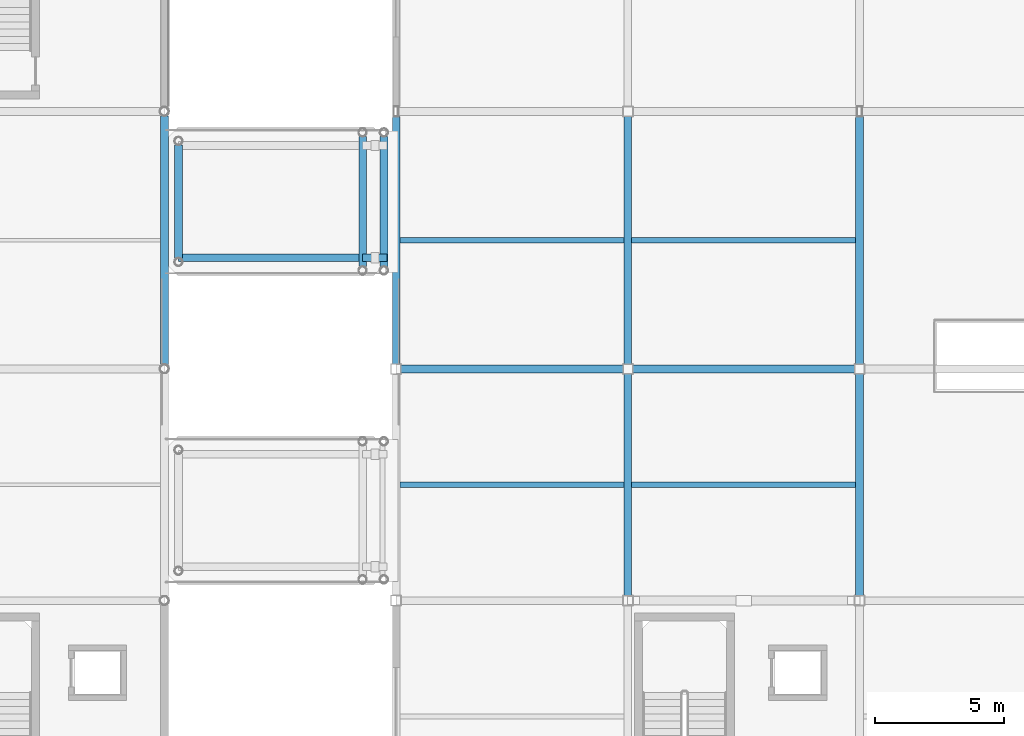
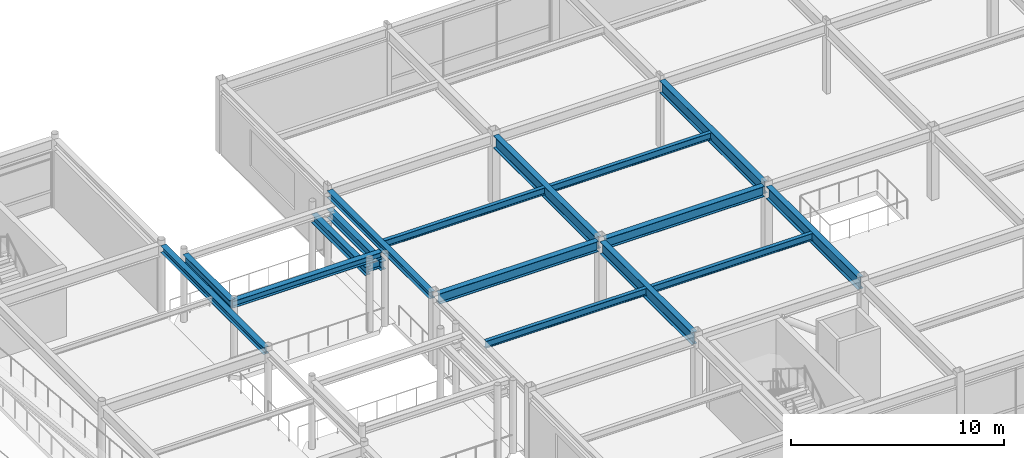
# One storey, part 21 of 70: 17 beams.
"""IFC4 building model written with IfcOpenShell, lengths in metres."""

from ifc_helpers import new_model, si_unit, direction, frame, origin, origin_2d, place, context, subcontext, project, spatial, i_section, extrude, material, material_profile, profile_set, type_object, element, save


model = new_model("IFC4")

# Units and contexts
model_context = context("Model", 3, precision=1e-05, world=origin(), true_north=direction((0.0, 1.0)))
body_context = subcontext(model_context, "Body", "Model", "MODEL_VIEW")
ifc_project = project(units=[si_unit("LENGTHUNIT", "METRE"), si_unit("AREAUNIT", "SQUARE_METRE"), si_unit("VOLUMEUNIT", "CUBIC_METRE"), si_unit("PLANEANGLEUNIT", "RADIAN"), si_unit("MASSUNIT", "GRAM", prefix="KILO")], contexts=[model_context])

# Site, building, storey
site_placement = place(None, origin())
site = spatial("IfcSite", under=ifc_project, at=site_placement, CompositionType="ELEMENT")
building_placement = place(site_placement, origin())
building = spatial("IfcBuilding", under=site, at=building_placement, Name="Suzunagisa Mobility Hub", CompositionType="ELEMENT")
storey_placement = place(building_placement, frame((0.0, 0.0, 13.5)))
storey = spatial("IfcBuildingStorey", under=building, at=storey_placement, Name="L03", CompositionType="ELEMENT", Elevation=13.5)

# Beams
ifc_material_1 = material(Name="Steel SN490B", Category="steel")
ifc_material_profile_1 = material_profile(ifc_material_1, i_section(OverallWidth=0.300048828125, OverallDepth=0.488037109375, WebThickness=0.010986328125, FlangeThickness=0.01806640625, FilletRadius=0.012939453125, at=origin_2d()), Name="H-488x300x11x18")
ifc_profile_set_1 = profile_set([ifc_material_profile_1], Name="Steel SN490B")
beam_type_1 = type_object("IfcBeamType", Name="Steel Beam BM-06 H-488x300x11x18", PredefinedType="BEAM", material=ifc_profile_set_1)
beam_1_placement = place(storey_placement, frame((36.550048828125, 102.31005859375, 3.696044921875), z_axis=(0.0, 1.0, 0.0), x_axis=(-1.0, 0.0, 0.0)))
element("IfcBeam", 1, at=beam_1_placement, inside=storey, type_object=beam_type_1, Name="L04 Skybridge Fixed Crosshead VRL-L04-N", PredefinedType="BEAM", context=body_context, shape_type="SweptSolid", body=[
    extrude(i_section(OverallWidth=0.300048828125, OverallDepth=0.488037109375, WebThickness=0.010986328125, FlangeThickness=0.01806640625, FilletRadius=0.012939453125, at=origin_2d()), origin(), (0.0, 0.0, 1.0), 4.3798828125),
])
for number, where, z_axis, x_axis, name in (
    (2, (43.699951171875, 101.97998046875, 3.305908203125), (0.0, 1.0, 0.0), (-1.0, 0.0, 0.0), "L04 Skybridge Seat Crosshead VRL-L04-N-W"),
    (3, (44.530029296875, 101.97998046875, 3.305908203125), (0.0, 1.0, 0.0), (-1.0, 0.0, 0.0), "L04 Skybridge Seat Crosshead VRL-L04-N-E"),
):
    element("IfcBeam", number, at=place(storey_placement, frame(where, z_axis=z_axis, x_axis=x_axis)), inside=storey, type_object=beam_type_1, Name=name, PredefinedType="BEAM", context=body_context, shape_type="SweptSolid", body=[
        extrude(i_section(OverallWidth=0.300048828125, OverallDepth=0.488037109375, WebThickness=0.010986328125, FlangeThickness=0.01806640625, FilletRadius=0.012939453125, at=origin_2d()), origin(), (0.0, 0.0, 1.0), 5.0400390625),
    ])
beam_2_placement = place(storey_placement, frame((43.699951171875, 102.320068359375, 3.305908203125), z_axis=(1.0, 0.0, 0.0), x_axis=(0.0, 1.0, 0.0)))
element("IfcBeam", 4, at=beam_2_placement, inside=storey, type_object=beam_type_1, Name="L04 Skybridge 950mm Bearing Seat VRL-L04-N-A", PredefinedType="BEAM", context=body_context, shape_type="SweptSolid", body=[
    extrude(i_section(OverallWidth=0.300048828125, OverallDepth=0.488037109375, WebThickness=0.010986328125, FlangeThickness=0.01806640625, FilletRadius=0.012939453125, at=origin_2d()), origin(), (0.0, 0.0, 1.0), 0.949951171875),
])
ifc_material_profile_2 = material_profile(ifc_material_1, i_section(OverallWidth=0.300048828125, OverallDepth=0.699951171875, WebThickness=0.012939453125, FlangeThickness=0.02392578125, FilletRadius=0.01806640625, at=origin_2d()), Name="H-700x300x13x24")
ifc_profile_set_2 = profile_set([ifc_material_profile_2], Name="Steel SN490B")
beam_type_2 = type_object("IfcBeamType", Name="Steel Beam BM-11 H-700x300x13x24", PredefinedType="BEAM", material=ifc_profile_set_2)
beam_3_placement = place(storey_placement, frame((54.0, 89.196044921875, 3.60009765625), z_axis=(0.0, 1.0, 0.0), x_axis=(-1.0, 0.0, 0.0)))
element("IfcBeam", 5, at=beam_3_placement, inside=storey, type_object=beam_type_2, Name="L03 Primary Girder GY-1068", PredefinedType="BEAM", context=body_context, shape_type="SweptSolid", body=[
    extrude(i_section(OverallWidth=0.300048828125, OverallDepth=0.699951171875, WebThickness=0.012939453125, FlangeThickness=0.02392578125, FilletRadius=0.01806640625, at=origin_2d()), origin(), (0.0, 0.0, 1.0), 8.60791015625),
])
beam_4_placement = place(storey_placement, frame((54.0, 98.196044921875, 3.60009765625), z_axis=(0.0, 1.0, 0.0), x_axis=(-1.0, 0.0, 0.0)))
element("IfcBeam", 6, at=beam_4_placement, inside=storey, type_object=beam_type_2, Name="L03 Primary Girder GY-1069", PredefinedType="BEAM", context=body_context, shape_type="SweptSolid", body=[
    extrude(i_section(OverallWidth=0.300048828125, OverallDepth=0.699951171875, WebThickness=0.012939453125, FlangeThickness=0.02392578125, FilletRadius=0.01806640625, at=origin_2d()), origin(), (0.0, 0.0, 1.0), 9.60791015625),
])
beam_5_placement = place(storey_placement, frame((63.0, 89.196044921875, 3.60009765625), z_axis=(0.0, 1.0, 0.0), x_axis=(-1.0, 0.0, 0.0)))
element("IfcBeam", 7, at=beam_5_placement, inside=storey, type_object=beam_type_2, Name="L03 Primary Girder GY-1072", PredefinedType="BEAM", context=body_context, shape_type="SweptSolid", body=[
    extrude(i_section(OverallWidth=0.300048828125, OverallDepth=0.699951171875, WebThickness=0.012939453125, FlangeThickness=0.02392578125, FilletRadius=0.01806640625, at=origin_2d()), origin(), (0.0, 0.0, 1.0), 8.60791015625),
])
beam_6_placement = place(storey_placement, frame((63.0, 98.196044921875, 3.60009765625), z_axis=(0.0, 1.0, 0.0), x_axis=(-1.0, 0.0, 0.0)))
element("IfcBeam", 8, at=beam_6_placement, inside=storey, type_object=beam_type_2, Name="L03 Primary Girder GY-1073", PredefinedType="BEAM", context=body_context, shape_type="SweptSolid", body=[
    extrude(i_section(OverallWidth=0.300048828125, OverallDepth=0.699951171875, WebThickness=0.012939453125, FlangeThickness=0.02392578125, FilletRadius=0.01806640625, at=origin_2d()), origin(), (0.0, 0.0, 1.0), 9.60791015625),
])
ifc_material_profile_3 = material_profile(ifc_material_1, i_section(OverallWidth=0.300048828125, OverallDepth=0.389892578125, WebThickness=0.010009765625, FlangeThickness=0.01611328125, FilletRadius=0.012939453125, at=origin_2d()), Name="H-390x300x10x16")
ifc_profile_set_3 = profile_set([ifc_material_profile_3], Name="Steel SN490B")
beam_type_3 = type_object("IfcBeamType", Name="Steel Beam BM-13 H-390x300x10x16", PredefinedType="SPANDREL", material=ifc_profile_set_3)
beam_7_placement = place(storey_placement, frame((36.0, 98.173828125, 3.7451171875), z_axis=(0.0, 1.0, 0.0), x_axis=(-1.0, 0.0, 0.0)))
element("IfcBeam", 9, at=beam_7_placement, inside=storey, type_object=beam_type_3, Name="L03 Primary Girder GY-580", PredefinedType="SPANDREL", context=body_context, shape_type="SweptSolid", body=[
    extrude(i_section(OverallWidth=0.300048828125, OverallDepth=0.389892578125, WebThickness=0.010009765625, FlangeThickness=0.01611328125, FilletRadius=0.012939453125, at=origin_2d()), origin(), (0.0, 0.0, 1.0), 9.65234375),
])
beam_8_placement = place(storey_placement, frame((45.0, 98.196044921875, 3.7548828125), z_axis=(0.0, 1.0, 0.0), x_axis=(-1.0, 0.0, 0.0)))
element("IfcBeam", 10, at=beam_8_placement, inside=storey, type_object=beam_type_3, Name="L03 Primary Girder GY-1065", PredefinedType="SPANDREL", context=body_context, shape_type="SweptSolid", body=[
    extrude(i_section(OverallWidth=0.300048828125, OverallDepth=0.389892578125, WebThickness=0.010009765625, FlangeThickness=0.01611328125, FilletRadius=0.012939453125, at=origin_2d()), origin(), (0.0, 0.0, 1.0), 9.60791015625),
])
ifc_material_2 = material(Name="Steel SN400B", Category="steel")
ifc_material_profile_4 = material_profile(ifc_material_2, i_section(OverallWidth=0.199951171875, OverallDepth=0.39990234375, WebThickness=0.008056640625, FlangeThickness=0.012939453125, FilletRadius=0.012939453125, at=origin_2d()), Name="H-400x200x8x13")
ifc_profile_set_4 = profile_set([ifc_material_profile_4], Name="Steel SN400B")
beam_type_4 = type_object("IfcBeamType", Name="Steel Beam BM-14 H-400x200x8x13", PredefinedType="JOIST", material=ifc_profile_set_4)
for number, where, z_axis, x_axis, name in (
    (11, (45.14990234375, 93.5, 3.75), (1.0, 0.0, 0.0), (0.0, 1.0, 0.0), "L03 Composite Floor Joist J-1096"),
    (12, (45.14990234375, 103.0, 3.75), (1.0, 0.0, 0.0), (0.0, 1.0, 0.0), "L03 Composite Floor Joist J-1097"),
    (13, (54.14990234375, 93.5, 3.75), (1.0, 0.0, 0.0), (0.0, 1.0, 0.0), "L03 Composite Floor Joist J-1099"),
    (14, (54.14990234375, 103.0, 3.75), (1.0, 0.0, 0.0), (0.0, 1.0, 0.0), "L03 Composite Floor Joist J-1100"),
):
    element("IfcBeam", number, at=place(storey_placement, frame(where, z_axis=z_axis, x_axis=x_axis)), inside=storey, type_object=beam_type_4, Name=name, PredefinedType="JOIST", context=body_context, shape_type="SweptSolid", body=[
        extrude(i_section(OverallWidth=0.199951171875, OverallDepth=0.39990234375, WebThickness=0.008056640625, FlangeThickness=0.012939453125, FilletRadius=0.012939453125, at=origin_2d()), origin(), (0.0, 0.0, 1.0), 8.7001953125),
    ])
ifc_material_profile_5 = material_profile(ifc_material_1, i_section(OverallWidth=0.300048828125, OverallDepth=0.587890625, WebThickness=0.011962890625, FlangeThickness=0.02001953125, FilletRadius=0.012939453125, at=origin_2d()), Name="H-588x300x12x20")
ifc_profile_set_5 = profile_set([ifc_material_profile_5], Name="Steel SN490B")
beam_type_5 = type_object("IfcBeamType", Name="Steel Beam BM-16 H-588x300x12x20", PredefinedType="BEAM", material=ifc_profile_set_5)
for number, where, z_axis, x_axis, name in (
    (15, (45.196044921875, 98.0, 3.656005859375), (1.0, 0.0, 0.0), (0.0, 1.0, 0.0), "L03 Primary Girder GX-1042"),
    (16, (54.196044921875, 98.0, 3.656005859375), (1.0, 0.0, 0.0), (0.0, 1.0, 0.0), "L03 Primary Girder GX-1043"),
):
    element("IfcBeam", number, at=place(storey_placement, frame(where, z_axis=z_axis, x_axis=x_axis)), inside=storey, type_object=beam_type_5, Name=name, PredefinedType="BEAM", context=body_context, shape_type="SweptSolid", body=[
        extrude(i_section(OverallWidth=0.300048828125, OverallDepth=0.587890625, WebThickness=0.011962890625, FlangeThickness=0.02001953125, FilletRadius=0.012939453125, at=origin_2d()), origin(), (0.0, 0.0, 1.0), 8.60791015625),
    ])
ifc_material_profile_6 = material_profile(ifc_material_1, i_section(OverallWidth=0.300048828125, OverallDepth=0.389892578125, WebThickness=0.010009765625, FlangeThickness=0.01611328125, FilletRadius=0.012939453125, at=origin_2d()), Name="H-390x300x10x16")
ifc_profile_set_6 = profile_set([ifc_material_profile_6], Name="Steel SN490B")
beam_type_6 = type_object("IfcBeamType", Name="Steel Beam BM-17 H-390x300x10x16", PredefinedType="T_BEAM", material=ifc_profile_set_6)
beam_9_placement = place(storey_placement, frame((36.550048828125, 102.320068359375, 3.7451171875), z_axis=(1.0, 0.0, 0.0), x_axis=(0.0, 1.0, 0.0)))
element("IfcBeam", 17, at=beam_9_placement, inside=storey, type_object=beam_type_6, Name="L04 Bridge Girder VRL-L04-N-A", PredefinedType="T_BEAM", context=body_context, shape_type="SweptSolid", body=[
    extrude(i_section(OverallWidth=0.300048828125, OverallDepth=0.389892578125, WebThickness=0.010009765625, FlangeThickness=0.01611328125, FilletRadius=0.012939453125, at=origin_2d()), origin(), (0.0, 0.0, 1.0), 8.02001953125),
])

save(model, "model.ifc")
